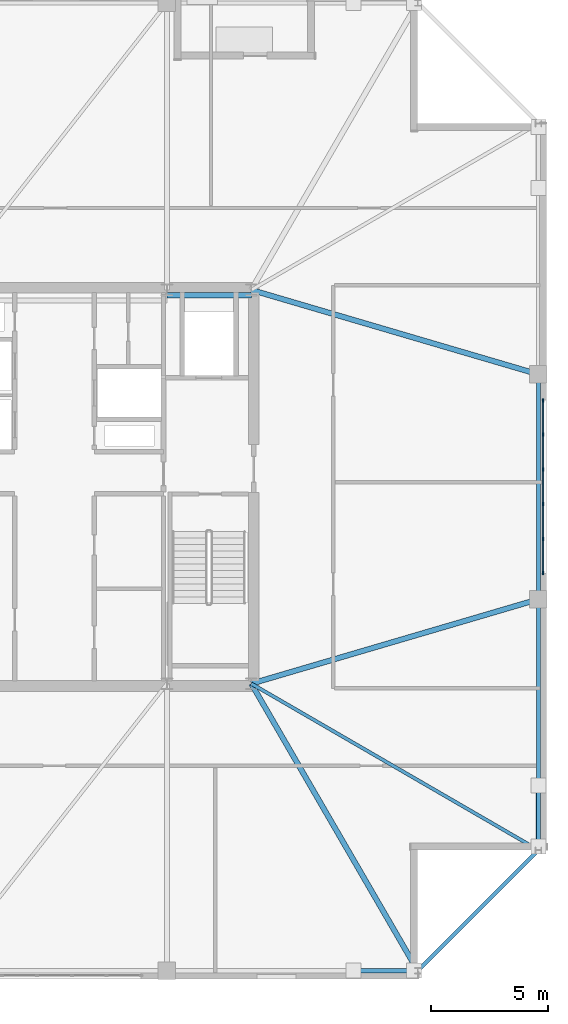
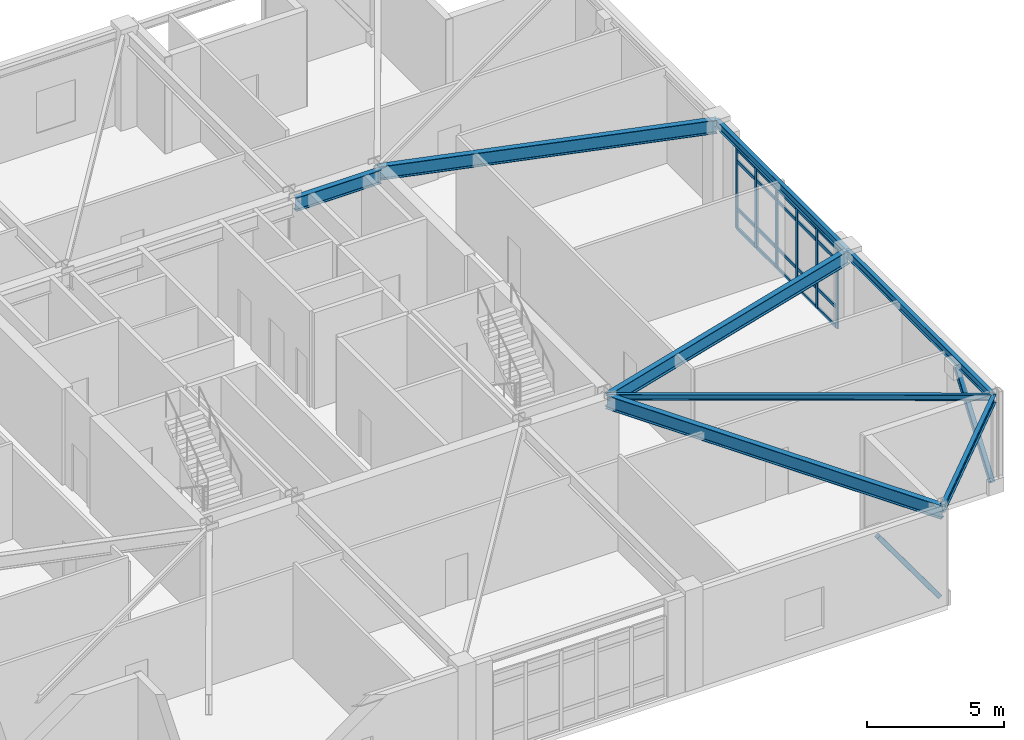
# One storey, part 9 of 16: 28 members, 8 beams, 1 element without a shape of its own.
"""IFC4 building model written with IfcOpenShell, lengths in metres."""

from ifc_helpers import new_model, si_unit, direction, frame, origin, origin_2d, place, context, subcontext, project, spatial, rectangle, hollow_rectangle, i_section, extrude, material, layer, layer_set, material_profile, profile_set, type_object, element, aggregate, save


model = new_model("IFC4")

# Units and contexts
model_context = context("Model", 3, precision=1e-05, world=origin(), true_north=direction((0.0, 1.0)))
body_context = subcontext(model_context, "Body", "Model", "MODEL_VIEW")
ifc_project = project(units=[si_unit("LENGTHUNIT", "METRE"), si_unit("AREAUNIT", "SQUARE_METRE"), si_unit("VOLUMEUNIT", "CUBIC_METRE"), si_unit("PLANEANGLEUNIT", "RADIAN"), si_unit("MASSUNIT", "GRAM", prefix="KILO")], contexts=[model_context])

# Site, building, storey
site_placement = place(None, origin())
site = spatial("IfcSite", under=ifc_project, at=site_placement, CompositionType="ELEMENT")
building_placement = place(site_placement, origin())
building = spatial("IfcBuilding", under=site, at=building_placement, Name="Cairnveth Concourse Tower", CompositionType="ELEMENT")
storey_placement = place(building_placement, frame((0.0, 0.0, 315.5)))
storey = spatial("IfcBuildingStorey", under=building, at=storey_placement, Name="L87", CompositionType="ELEMENT", Elevation=315.5)

# Curtain wall, members
ifc_material_1 = material(Name="Architectural Bronze Anodised Aluminium 6063-T6", Category="aluminium")
ifc_layer = layer(ifc_material_1, 0.300048828125)
ifc_layer_set = layer_set([ifc_layer], Name="Architectural Bronze Anodised Aluminium 6063-T6")
curtain_wall_type = type_object("IfcCurtainWallType", Name="OBSERVATION HORIZON CURTAIN WALL", PredefinedType="USERDEFINED", material=ifc_layer_set)
curtain_wall_placement = place(storey_placement, origin())
curtain_wall = element("IfcCurtainWall", 1, at=curtain_wall_placement, inside=storey, type_object=curtain_wall_type, Name="Curtain Wall CW-L87-F3", ObjectType="UNITISED FACADE", PredefinedType="USERDEFINED")
ifc_material_profile_1 = material_profile(ifc_material_1, rectangle(XDim=0.06494140625, YDim=0.14990234375, at=origin_2d()), Name="AL-MUL-65x150")
ifc_profile_set_1 = profile_set([ifc_material_profile_1], Name="Architectural Bronze Anodised Aluminium 6063-T6")
member_type_1 = type_object("IfcMemberType", Name="BRONZE CURTAIN WALL MULLION AL-MUL-65x150", PredefinedType="MULLION", material=ifc_profile_set_1)
member_1_placement = place(storey_placement, frame((72.85009765625, 42.6826171875, 0.0), z_axis=(0.0, 0.0, 1.0), x_axis=(1.0, 0.0, 0.0)))
member_1 = element("IfcMember", 2, at=member_1_placement, type_object=member_type_1, Name="CWS5 mullion 1", PredefinedType="MULLION", context=body_context, shape_type="SweptSolid", body=[
    extrude(rectangle(XDim=0.06494140625, YDim=0.14990234375, at=origin_2d()), origin(), (0.0, 0.0, 1.0), 3.577880859375),
])
member_2_placement = place(storey_placement, frame((72.85009765625, 41.22900390625, 0.0), z_axis=(0.0, 0.0, 1.0), x_axis=(1.0, 0.0, 0.0)))
member_2 = element("IfcMember", 3, at=member_2_placement, type_object=member_type_1, Name="CWS5 mullion 2", PredefinedType="MULLION", context=body_context, shape_type="SweptSolid", body=[
    extrude(rectangle(XDim=0.06494140625, YDim=0.14990234375, at=origin_2d()), origin(), (0.0, 0.0, 1.0), 3.577880859375),
])
member_3_placement = place(storey_placement, frame((72.85009765625, 39.742919921875, 0.0), z_axis=(0.0, 0.0, 1.0), x_axis=(1.0, 0.0, 0.0)))
member_3 = element("IfcMember", 4, at=member_3_placement, type_object=member_type_1, Name="CWS5 mullion 3", PredefinedType="MULLION", context=body_context, shape_type="SweptSolid", body=[
    extrude(rectangle(XDim=0.06494140625, YDim=0.14990234375, at=origin_2d()), origin(), (0.0, 0.0, 1.0), 3.577880859375),
])
member_4_placement = place(storey_placement, frame((72.85009765625, 38.257080078125, 0.0), z_axis=(0.0, 0.0, 1.0), x_axis=(1.0, 0.0, 0.0)))
member_4 = element("IfcMember", 5, at=member_4_placement, type_object=member_type_1, Name="CWS5 mullion 4", PredefinedType="MULLION", context=body_context, shape_type="SweptSolid", body=[
    extrude(rectangle(XDim=0.06494140625, YDim=0.14990234375, at=origin_2d()), origin(), (0.0, 0.0, 1.0), 3.577880859375),
])
member_5_placement = place(storey_placement, frame((72.85009765625, 36.77099609375, 0.0), z_axis=(0.0, 0.0, 1.0), x_axis=(1.0, 0.0, 0.0)))
member_5 = element("IfcMember", 6, at=member_5_placement, type_object=member_type_1, Name="CWS5 mullion 5", PredefinedType="MULLION", context=body_context, shape_type="SweptSolid", body=[
    extrude(rectangle(XDim=0.06494140625, YDim=0.14990234375, at=origin_2d()), origin(), (0.0, 0.0, 1.0), 3.577880859375),
])
member_6_placement = place(storey_placement, frame((72.85009765625, 35.3173828125, 0.0), z_axis=(0.0, 0.0, 1.0), x_axis=(1.0, 0.0, 0.0)))
member_6 = element("IfcMember", 7, at=member_6_placement, type_object=member_type_1, Name="CWS5 mullion 6", PredefinedType="MULLION", context=body_context, shape_type="SweptSolid", body=[
    extrude(rectangle(XDim=0.06494140625, YDim=0.14990234375, at=origin_2d()), origin(), (0.0, 0.0, 1.0), 3.577880859375),
])
ifc_material_profile_2 = material_profile(ifc_material_1, rectangle(XDim=0.06494140625, YDim=0.139892578125, at=origin_2d()), Name="AL-TRN-65x140")
ifc_profile_set_2 = profile_set([ifc_material_profile_2], Name="Architectural Bronze Anodised Aluminium 6063-T6")
member_type_2 = type_object("IfcMemberType", Name="BRONZE CURTAIN WALL TRANSOM AL-TRN-65x140", PredefinedType="USERDEFINED", material=ifc_profile_set_2)
member_7_placement = place(storey_placement, frame((72.85009765625, 42.64990234375, 0.032470703125), z_axis=(0.0, -1.0, 0.0), x_axis=(1.0, 0.0, 0.0)))
member_7 = element("IfcMember", 8, at=member_7_placement, type_object=member_type_2, Name="CWS5 transom 1.1", ObjectType="TRANSOM", PredefinedType="USERDEFINED", context=body_context, shape_type="SweptSolid", body=[
    extrude(rectangle(XDim=0.06494140625, YDim=0.139892578125, at=origin_2d()), origin(), (0.0, 0.0, 1.0), 1.388427734375),
])
member_8_placement = place(storey_placement, frame((72.85009765625, 42.64990234375, 0.89990234375), z_axis=(0.0, -1.0, 0.0), x_axis=(1.0, 0.0, 0.0)))
member_8 = element("IfcMember", 9, at=member_8_placement, type_object=member_type_2, Name="CWS5 transom 1.2", ObjectType="TRANSOM", PredefinedType="USERDEFINED", context=body_context, shape_type="SweptSolid", body=[
    extrude(rectangle(XDim=0.06494140625, YDim=0.139892578125, at=origin_2d()), origin(), (0.0, 0.0, 1.0), 1.388427734375),
])
member_9_placement = place(storey_placement, frame((72.85009765625, 42.64990234375, 3.028076171875), z_axis=(0.0, -1.0, 0.0), x_axis=(1.0, 0.0, 0.0)))
member_9 = element("IfcMember", 10, at=member_9_placement, type_object=member_type_2, Name="CWS5 transom 1.3", ObjectType="TRANSOM", PredefinedType="USERDEFINED", context=body_context, shape_type="SweptSolid", body=[
    extrude(rectangle(XDim=0.06494140625, YDim=0.139892578125, at=origin_2d()), origin(), (0.0, 0.0, 1.0), 1.388427734375),
])
member_10_placement = place(storey_placement, frame((72.85009765625, 42.64990234375, 3.54541015625), z_axis=(0.0, -1.0, 0.0), x_axis=(1.0, 0.0, 0.0)))
member_10 = element("IfcMember", 11, at=member_10_placement, type_object=member_type_2, Name="CWS5 transom 1.4", ObjectType="TRANSOM", PredefinedType="USERDEFINED", context=body_context, shape_type="SweptSolid", body=[
    extrude(rectangle(XDim=0.06494140625, YDim=0.139892578125, at=origin_2d()), origin(), (0.0, 0.0, 1.0), 1.388427734375),
])
member_11_placement = place(storey_placement, frame((72.85009765625, 41.196533203125, 0.032470703125), z_axis=(0.0, -1.0, 0.0), x_axis=(1.0, 0.0, 0.0)))
member_11 = element("IfcMember", 12, at=member_11_placement, type_object=member_type_2, Name="CWS5 transom 2.1", ObjectType="TRANSOM", PredefinedType="USERDEFINED", context=body_context, shape_type="SweptSolid", body=[
    extrude(rectangle(XDim=0.06494140625, YDim=0.139892578125, at=origin_2d()), origin(), (0.0, 0.0, 1.0), 1.421142578125),
])
member_12_placement = place(storey_placement, frame((72.85009765625, 41.196533203125, 0.89990234375), z_axis=(0.0, -1.0, 0.0), x_axis=(1.0, 0.0, 0.0)))
member_12 = element("IfcMember", 13, at=member_12_placement, type_object=member_type_2, Name="CWS5 transom 2.2", ObjectType="TRANSOM", PredefinedType="USERDEFINED", context=body_context, shape_type="SweptSolid", body=[
    extrude(rectangle(XDim=0.06494140625, YDim=0.139892578125, at=origin_2d()), origin(), (0.0, 0.0, 1.0), 1.421142578125),
])
member_13_placement = place(storey_placement, frame((72.85009765625, 41.196533203125, 3.028076171875), z_axis=(0.0, -1.0, 0.0), x_axis=(1.0, 0.0, 0.0)))
member_13 = element("IfcMember", 14, at=member_13_placement, type_object=member_type_2, Name="CWS5 transom 2.3", ObjectType="TRANSOM", PredefinedType="USERDEFINED", context=body_context, shape_type="SweptSolid", body=[
    extrude(rectangle(XDim=0.06494140625, YDim=0.139892578125, at=origin_2d()), origin(), (0.0, 0.0, 1.0), 1.421142578125),
])
member_14_placement = place(storey_placement, frame((72.85009765625, 41.196533203125, 3.54541015625), z_axis=(0.0, -1.0, 0.0), x_axis=(1.0, 0.0, 0.0)))
member_14 = element("IfcMember", 15, at=member_14_placement, type_object=member_type_2, Name="CWS5 transom 2.4", ObjectType="TRANSOM", PredefinedType="USERDEFINED", context=body_context, shape_type="SweptSolid", body=[
    extrude(rectangle(XDim=0.06494140625, YDim=0.139892578125, at=origin_2d()), origin(), (0.0, 0.0, 1.0), 1.421142578125),
])
member_15_placement = place(storey_placement, frame((72.85009765625, 39.71044921875, 0.032470703125), z_axis=(0.0, -1.0, 0.0), x_axis=(1.0, 0.0, 0.0)))
member_15 = element("IfcMember", 16, at=member_15_placement, type_object=member_type_2, Name="CWS5 transom 3.1", ObjectType="TRANSOM", PredefinedType="USERDEFINED", context=body_context, shape_type="SweptSolid", body=[
    extrude(rectangle(XDim=0.06494140625, YDim=0.139892578125, at=origin_2d()), origin(), (0.0, 0.0, 1.0), 1.4208984375),
])
member_16_placement = place(storey_placement, frame((72.85009765625, 39.71044921875, 0.89990234375), z_axis=(0.0, -1.0, 0.0), x_axis=(1.0, 0.0, 0.0)))
member_16 = element("IfcMember", 17, at=member_16_placement, type_object=member_type_2, Name="CWS5 transom 3.2", ObjectType="TRANSOM", PredefinedType="USERDEFINED", context=body_context, shape_type="SweptSolid", body=[
    extrude(rectangle(XDim=0.06494140625, YDim=0.139892578125, at=origin_2d()), origin(), (0.0, 0.0, 1.0), 1.4208984375),
])
member_17_placement = place(storey_placement, frame((72.85009765625, 39.71044921875, 3.028076171875), z_axis=(0.0, -1.0, 0.0), x_axis=(1.0, 0.0, 0.0)))
member_17 = element("IfcMember", 18, at=member_17_placement, type_object=member_type_2, Name="CWS5 transom 3.3", ObjectType="TRANSOM", PredefinedType="USERDEFINED", context=body_context, shape_type="SweptSolid", body=[
    extrude(rectangle(XDim=0.06494140625, YDim=0.139892578125, at=origin_2d()), origin(), (0.0, 0.0, 1.0), 1.4208984375),
])
member_18_placement = place(storey_placement, frame((72.85009765625, 39.71044921875, 3.54541015625), z_axis=(0.0, -1.0, 0.0), x_axis=(1.0, 0.0, 0.0)))
member_18 = element("IfcMember", 19, at=member_18_placement, type_object=member_type_2, Name="CWS5 transom 3.4", ObjectType="TRANSOM", PredefinedType="USERDEFINED", context=body_context, shape_type="SweptSolid", body=[
    extrude(rectangle(XDim=0.06494140625, YDim=0.139892578125, at=origin_2d()), origin(), (0.0, 0.0, 1.0), 1.4208984375),
])
member_19_placement = place(storey_placement, frame((72.85009765625, 38.224609375, 0.032470703125), z_axis=(0.0, -1.0, 0.0), x_axis=(1.0, 0.0, 0.0)))
member_19 = element("IfcMember", 20, at=member_19_placement, type_object=member_type_2, Name="CWS5 transom 4.1", ObjectType="TRANSOM", PredefinedType="USERDEFINED", context=body_context, shape_type="SweptSolid", body=[
    extrude(rectangle(XDim=0.06494140625, YDim=0.139892578125, at=origin_2d()), origin(), (0.0, 0.0, 1.0), 1.421142578125),
])
member_20_placement = place(storey_placement, frame((72.85009765625, 38.224609375, 0.89990234375), z_axis=(0.0, -1.0, 0.0), x_axis=(1.0, 0.0, 0.0)))
member_20 = element("IfcMember", 21, at=member_20_placement, type_object=member_type_2, Name="CWS5 transom 4.2", ObjectType="TRANSOM", PredefinedType="USERDEFINED", context=body_context, shape_type="SweptSolid", body=[
    extrude(rectangle(XDim=0.06494140625, YDim=0.139892578125, at=origin_2d()), origin(), (0.0, 0.0, 1.0), 1.421142578125),
])
member_21_placement = place(storey_placement, frame((72.85009765625, 38.224609375, 3.028076171875), z_axis=(0.0, -1.0, 0.0), x_axis=(1.0, 0.0, 0.0)))
member_21 = element("IfcMember", 22, at=member_21_placement, type_object=member_type_2, Name="CWS5 transom 4.3", ObjectType="TRANSOM", PredefinedType="USERDEFINED", context=body_context, shape_type="SweptSolid", body=[
    extrude(rectangle(XDim=0.06494140625, YDim=0.139892578125, at=origin_2d()), origin(), (0.0, 0.0, 1.0), 1.421142578125),
])
member_22_placement = place(storey_placement, frame((72.85009765625, 38.224609375, 3.54541015625), z_axis=(0.0, -1.0, 0.0), x_axis=(1.0, 0.0, 0.0)))
member_22 = element("IfcMember", 23, at=member_22_placement, type_object=member_type_2, Name="CWS5 transom 4.4", ObjectType="TRANSOM", PredefinedType="USERDEFINED", context=body_context, shape_type="SweptSolid", body=[
    extrude(rectangle(XDim=0.06494140625, YDim=0.139892578125, at=origin_2d()), origin(), (0.0, 0.0, 1.0), 1.421142578125),
])
member_23_placement = place(storey_placement, frame((72.85009765625, 36.738525390625, 0.032470703125), z_axis=(0.0, -1.0, 0.0), x_axis=(1.0, 0.0, 0.0)))
member_23 = element("IfcMember", 24, at=member_23_placement, type_object=member_type_2, Name="CWS5 transom 5.1", ObjectType="TRANSOM", PredefinedType="USERDEFINED", context=body_context, shape_type="SweptSolid", body=[
    extrude(rectangle(XDim=0.06494140625, YDim=0.139892578125, at=origin_2d()), origin(), (0.0, 0.0, 1.0), 1.388427734375),
])
member_24_placement = place(storey_placement, frame((72.85009765625, 36.738525390625, 0.89990234375), z_axis=(0.0, -1.0, 0.0), x_axis=(1.0, 0.0, 0.0)))
member_24 = element("IfcMember", 25, at=member_24_placement, type_object=member_type_2, Name="CWS5 transom 5.2", ObjectType="TRANSOM", PredefinedType="USERDEFINED", context=body_context, shape_type="SweptSolid", body=[
    extrude(rectangle(XDim=0.06494140625, YDim=0.139892578125, at=origin_2d()), origin(), (0.0, 0.0, 1.0), 1.388427734375),
])
member_25_placement = place(storey_placement, frame((72.85009765625, 36.738525390625, 3.028076171875), z_axis=(0.0, -1.0, 0.0), x_axis=(1.0, 0.0, 0.0)))
member_25 = element("IfcMember", 26, at=member_25_placement, type_object=member_type_2, Name="CWS5 transom 5.3", ObjectType="TRANSOM", PredefinedType="USERDEFINED", context=body_context, shape_type="SweptSolid", body=[
    extrude(rectangle(XDim=0.06494140625, YDim=0.139892578125, at=origin_2d()), origin(), (0.0, 0.0, 1.0), 1.388427734375),
])
member_26_placement = place(storey_placement, frame((72.85009765625, 36.738525390625, 3.54541015625), z_axis=(0.0, -1.0, 0.0), x_axis=(1.0, 0.0, 0.0)))
member_26 = element("IfcMember", 27, at=member_26_placement, type_object=member_type_2, Name="CWS5 transom 5.4", ObjectType="TRANSOM", PredefinedType="USERDEFINED", context=body_context, shape_type="SweptSolid", body=[
    extrude(rectangle(XDim=0.06494140625, YDim=0.139892578125, at=origin_2d()), origin(), (0.0, 0.0, 1.0), 1.388427734375),
])
aggregate(curtain_wall, [member_1, member_2, member_3, member_4, member_5, member_6, member_7, member_8, member_9, member_10, member_11, member_12, member_13, member_14, member_15, member_16, member_17, member_18, member_19, member_20, member_21, member_22, member_23, member_24, member_25, member_26])

# Beams
ifc_material_2 = material(Name="Steel Grade 350", Category="steel")
ifc_material_profile_3 = material_profile(ifc_material_2, i_section(OverallWidth=0.22802734375, OverallDepth=0.60693359375, WebThickness=0.01123046875, FlangeThickness=0.017333984375, FilletRadius=0.013916015625, at=origin_2d()), Name="610UB113")
ifc_profile_set_3 = profile_set([ifc_material_profile_3], Name="Steel Grade 350")
beam_type_1 = type_object("IfcBeamType", Name="CORE TIE BEAM 610UB113", PredefinedType="T_BEAM", material=ifc_profile_set_3)
beam_1_placement = place(storey_placement, frame((56.800048828125, 47.179931640625, 3.986572265625), z_axis=(1.0, 0.0, 0.0), x_axis=(0.0, 1.0, 0.0)))
element("IfcBeam", 28, at=beam_1_placement, inside=storey, type_object=beam_type_1, Name="Beam CT-N3 L87", PredefinedType="T_BEAM", context=body_context, shape_type="SweptSolid", body=[
    extrude(i_section(OverallWidth=0.22802734375, OverallDepth=0.60693359375, WebThickness=0.01123046875, FlangeThickness=0.017333984375, FilletRadius=0.013916015625, at=origin_2d()), origin(), (0.0, 0.0, 1.0), 3.599853515625),
])
ifc_material_profile_4 = material_profile(ifc_material_2, i_section(OverallWidth=0.14599609375, OverallDepth=0.256103515625, WebThickness=0.00634765625, FlangeThickness=0.010986328125, FilletRadius=0.009033203125, at=origin_2d()), Name="250UB37.3")
ifc_profile_set_4 = profile_set([ifc_material_profile_4], Name="Steel Grade 350")
beam_type_2 = type_object("IfcBeamType", Name="ZONE 4 FLOOR JOIST 250UB37.3", PredefinedType="JOIST", material=ifc_profile_set_4)
beam_2_placement = place(storey_placement, frame((72.64990234375, 23.5, 4.162109375), z_axis=(-0.86518141842, 0.501458984584, 0.0), x_axis=(-0.501458984584, -0.86518141842, 0.0)))
element("IfcBeam", 29, at=beam_2_placement, inside=storey, type_object=beam_type_2, Name="Beam FJ-CSE2 L87", PredefinedType="JOIST", context=body_context, shape_type="SweptSolid", body=[
    extrude(i_section(OverallWidth=0.14599609375, OverallDepth=0.256103515625, WebThickness=0.00634765625, FlangeThickness=0.010986328125, FilletRadius=0.009033203125, at=origin_2d()), origin(), (0.0, 0.0, 1.0), 14.158935546875),
])

# Members
ifc_material_3 = material(Name="Steel C350L0 (350 MPa)", Category="steel")
ifc_material_profile_5 = material_profile(ifc_material_3, hollow_rectangle(XDim=0.199951171875, YDim=0.199951171875, WallThickness=0.012451171875, InnerFilletRadius=0.012939453125, OuterFilletRadius=0.02490234375, at=origin_2d()), Name="200x200x12.5SHS")
ifc_profile_set_5 = profile_set([ifc_material_profile_5], Name="Steel C350L0 (350 MPa)")
member_type_3 = type_object("IfcMemberType", Name="ZONE 4 PIER BRACE 200X200X12.5SHS", PredefinedType="BRACE", material=ifc_profile_set_5)
for number, where, z_axis, x_axis, name in (
    (30, (67.35009765625, 18.35009765625, 0.25), (-0.586565875469, 0.0, 0.809901521011), (0.0, -1.0, 0.0), "Structural Brace PB-S2 L87"),
    (31, (72.64990234375, 23.64990234375, 0.25), (0.0, 0.586565875469, 0.809901521011), (-1.0, 0.0, 0.0), "Structural Brace PB-E1 L87"),
):
    element("IfcMember", number, at=place(storey_placement, frame(where, z_axis=z_axis, x_axis=x_axis)), inside=storey, type_object=member_type_3, Name=name, PredefinedType="BRACE", context=body_context, shape_type="SweptSolid", body=[
        extrude(hollow_rectangle(XDim=0.199951171875, YDim=0.199951171875, WallThickness=0.012451171875, InnerFilletRadius=0.012939453125, OuterFilletRadius=0.02490234375, at=origin_2d()), origin(), (0.0, 0.0, 1.0), 4.432861328125),
    ])

# Beams
ifc_material_profile_6 = material_profile(ifc_material_2, i_section(OverallWidth=0.22900390625, OverallDepth=0.612060546875, WebThickness=0.011962890625, FlangeThickness=0.01953125, FilletRadius=0.013916015625, at=origin_2d()), Name="610UB125")
ifc_profile_set_6 = profile_set([ifc_material_profile_6], Name="Steel Grade 350")
beam_type_3 = type_object("IfcBeamType", Name="ZONE 4 RADIAL GIRDER 610UB125", PredefinedType="BEAM", material=ifc_profile_set_6)
for number, where, z_axis, x_axis, name in (
    (32, (60.39990234375, 30.60009765625, 3.98388671875), (0.959430938842, 0.281943741893, 0.0), (-0.281943741893, 0.959430938842, 0.0), "Beam RG-E1 L87"),
    (33, (60.39990234375, 47.39990234375, 3.98388671875), (0.959430938842, -0.281943741893, 0.0), (0.281943741893, 0.959430938842, 0.0), "Beam RG-E2 L87"),
):
    element("IfcBeam", number, at=place(storey_placement, frame(where, z_axis=z_axis, x_axis=x_axis)), inside=storey, type_object=beam_type_3, Name=name, PredefinedType="BEAM", context=body_context, shape_type="SweptSolid", body=[
        extrude(i_section(OverallWidth=0.22900390625, OverallDepth=0.612060546875, WebThickness=0.011962890625, FlangeThickness=0.01953125, FilletRadius=0.013916015625, at=origin_2d()), origin(), (0.0, 0.0, 1.0), 12.76806640625),
    ])
beam_3_placement = place(storey_placement, frame((67.5, 18.35009765625, 3.98388671875), z_axis=(-0.501458984584, 0.86518141842, 0.0), x_axis=(-0.86518141842, -0.501458984584, 0.0)))
element("IfcBeam", 34, at=beam_3_placement, inside=storey, type_object=beam_type_3, Name="Beam RG-CSE L87", PredefinedType="BEAM", context=body_context, shape_type="SweptSolid", body=[
    extrude(i_section(OverallWidth=0.22900390625, OverallDepth=0.612060546875, WebThickness=0.011962890625, FlangeThickness=0.01953125, FilletRadius=0.013916015625, at=origin_2d()), origin(), (0.0, 0.0, 1.0), 14.158935546875),
])
ifc_material_profile_7 = material_profile(ifc_material_2, i_section(OverallWidth=0.172119140625, OverallDepth=0.35888671875, WebThickness=0.008056640625, FlangeThickness=0.012939453125, FilletRadius=0.010986328125, at=origin_2d()), Name="360UB56.7")
ifc_profile_set_7 = profile_set([ifc_material_profile_7], Name="Steel Grade 350")
beam_type_4 = type_object("IfcBeamType", Name="ZONE 4 SPANDREL BEAM 360UB56.7", PredefinedType="SPANDREL", material=ifc_profile_set_7)
beam_4_placement = place(storey_placement, frame((72.64990234375, 23.5, 4.110595703125), z_axis=(0.0, 1.0, 0.0), x_axis=(-1.0, 0.0, 0.0)))
element("IfcBeam", 35, at=beam_4_placement, inside=storey, type_object=beam_type_4, Name="Beam SP-E1 L87", PredefinedType="SPANDREL", context=body_context, shape_type="SweptSolid", body=[
    extrude(i_section(OverallWidth=0.172119140625, OverallDepth=0.35888671875, WebThickness=0.008056640625, FlangeThickness=0.012939453125, FilletRadius=0.010986328125, at=origin_2d()), origin(), (0.0, 0.0, 1.0), 10.699951171875),
])
beam_5_placement = place(storey_placement, frame((72.64990234375, 34.199951171875, 4.110595703125), z_axis=(0.0, 1.0, 0.0), x_axis=(-1.0, 0.0, 0.0)))
element("IfcBeam", 36, at=beam_5_placement, inside=storey, type_object=beam_type_4, Name="Beam SP-E2 L87", PredefinedType="SPANDREL", context=body_context, shape_type="SweptSolid", body=[
    extrude(i_section(OverallWidth=0.172119140625, OverallDepth=0.35888671875, WebThickness=0.008056640625, FlangeThickness=0.012939453125, FilletRadius=0.010986328125, at=origin_2d()), origin(), (0.0, 0.0, 1.0), 9.60009765625),
])
beam_6_placement = place(storey_placement, frame((67.5, 18.35009765625, 4.110595703125), z_axis=(0.707106781187, 0.707106781187, 0.0), x_axis=(-0.707106781187, 0.707106781187, 0.0)))
element("IfcBeam", 37, at=beam_6_placement, inside=storey, type_object=beam_type_4, Name="Beam SP-SE L87", PredefinedType="SPANDREL", context=body_context, shape_type="SweptSolid", body=[
    extrude(i_section(OverallWidth=0.172119140625, OverallDepth=0.35888671875, WebThickness=0.008056640625, FlangeThickness=0.012939453125, FilletRadius=0.010986328125, at=origin_2d()), origin(), (0.0, 0.0, 1.0), 7.282958984375),
])

save(model, "model.ifc")
